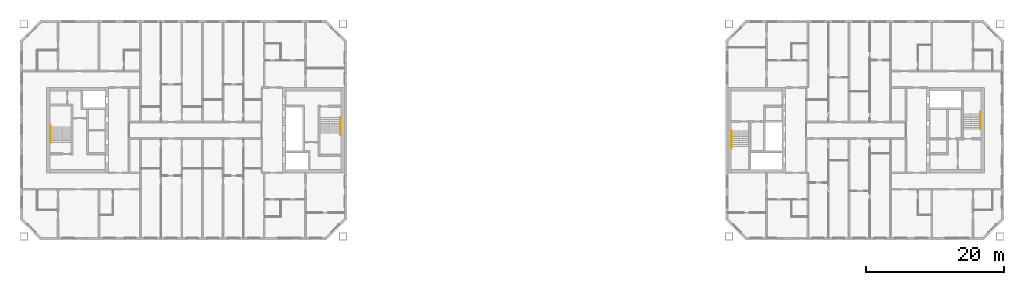
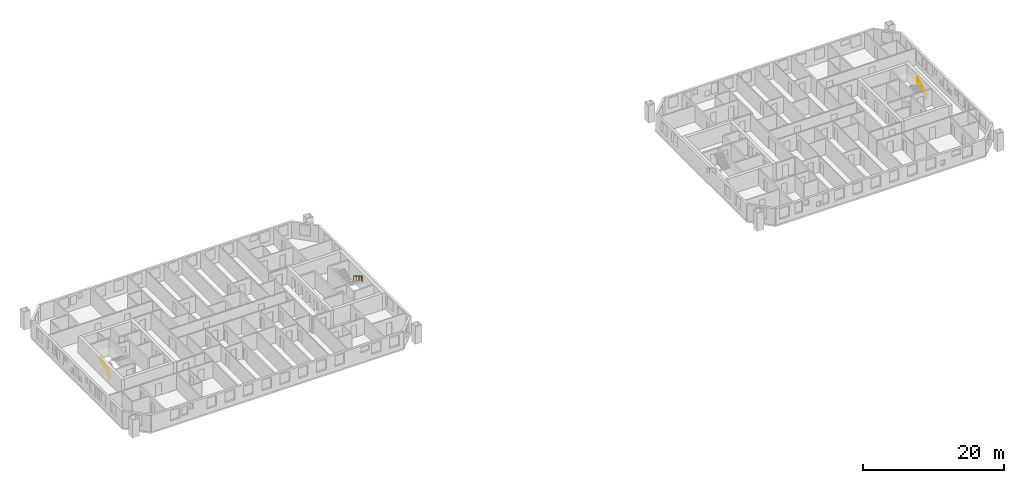
# One storey, part 15 of 15: 4 railings.
"""IFC4 building model written with IfcOpenShell, lengths in metres."""

import ifcopenshell
import ifcopenshell.guid

model = None  # the IFC model being written
_history = None  # IfcOwnerHistory: only IFC2X3 demands one
_inside = {}  # id of a spatial element -> (the spatial element, [elements in it])
_under = {}  # id of a project, library or spatial element -> (it, [spatial elements below it])
_declared = {}  # id of a project -> (the project, [libraries it declares])
_typed = {}  # id of a type object -> (the type object, [elements of that type])
_made_of = {}  # id of a material, layer set ... -> (it, [elements and type objects made of it])


def new_model(schema):
    """Start an empty IFC model of exactly this schema.

    Asked for "IFC4X3", IfcOpenShell would pick the latest addendum, in which some entities
    have other attributes; the version numbers below select the first issue.
    IFC2X3 requires an IfcOwnerHistory on every rooted entity: one is made here for all.
    """
    global model, _history
    if schema == "IFC4X3":
        model = ifcopenshell.file(schema_version=(4, 3, 0, 0))
    else:
        model = ifcopenshell.file(schema=schema)
    _inside.clear()
    _under.clear()
    _declared.clear()
    _typed.clear()
    _made_of.clear()
    _history = None
    if model.schema == "IFC2X3":
        org = make("IfcOrganization", Name="unknown")
        user = make(
            "IfcPersonAndOrganization",
            ThePerson=make("IfcPerson", FamilyName="unknown"),
            TheOrganization=org,
        )
        app = make(
            "IfcApplication",
            ApplicationDeveloper=org,
            Version="unknown",
            ApplicationFullName="unknown",
            ApplicationIdentifier="unknown",
        )
        _history = make(
            "IfcOwnerHistory",
            OwningUser=user,
            OwningApplication=app,
            ChangeAction="ADDED",
            CreationDate=0,
        )
    return model


def make(cls, **values):
    """One entity of the class cls with the attributes given. An attribute that is None is left unset."""
    return model.create_entity(
        cls, **{name: value for name, value in values.items() if value is not None}
    )


def rooted(cls, **values):
    """An entity with a GlobalId (a new one), such as an element, a storey or a relation."""
    return make(cls, GlobalId=ifcopenshell.guid.new(), OwnerHistory=_history, **values)


def si_unit(unit_type, name, prefix=None):
    """IfcSIUnit, for example si_unit("LENGTHUNIT", "METRE", prefix="MILLI")."""
    return make("IfcSIUnit", UnitType=unit_type, Prefix=prefix, Name=name)


def assignment(units):
    """IfcUnitAssignment: the units of a project."""
    return None if units is None else make("IfcUnitAssignment", Units=units)


def point(xyz):
    """IfcCartesianPoint."""
    return None if xyz is None else make("IfcCartesianPoint", Coordinates=xyz)


def direction(xyz):
    """IfcDirection."""
    return None if xyz is None else make("IfcDirection", DirectionRatios=xyz)


def frame(location, z_axis=None, x_axis=None):
    """IfcAxis2Placement3D, a coordinate frame: its origin and axes. An axis left out is left unset."""
    return make(
        "IfcAxis2Placement3D",
        Location=point(location),
        Axis=direction(z_axis),
        RefDirection=direction(x_axis),
    )


def frame_2d(location, x_axis=None):
    """IfcAxis2Placement2D, a coordinate frame in the plane: its origin and x axis."""
    return make(
        "IfcAxis2Placement2D", Location=point(location), RefDirection=direction(x_axis)
    )


def origin():
    """The frame at (0, 0, 0) with its axes left unset."""
    return frame((0.0, 0.0, 0.0))


def origin_2d():
    """The frame at (0, 0) in the plane with its x axis left unset."""
    return frame_2d((0.0, 0.0))


def place(relative_to, where):
    """IfcLocalPlacement: puts the frame where relative to a parent placement (None: the world)."""
    return make(
        "IfcLocalPlacement", PlacementRelTo=relative_to, RelativePlacement=where
    )


def context(
    kind, dimensions, precision=None, world=None, true_north=None, identifier=None
):
    """IfcGeometricRepresentationContext, for example the 3D "Model" context."""
    return make(
        "IfcGeometricRepresentationContext",
        ContextIdentifier=identifier,
        ContextType=kind,
        CoordinateSpaceDimension=dimensions,
        Precision=precision,
        WorldCoordinateSystem=world,
        TrueNorth=true_north,
    )


def subcontext(parent, identifier, kind, view, scale=None):
    """IfcGeometricRepresentationSubContext, for example "Body" below "Model"."""
    return make(
        "IfcGeometricRepresentationSubContext",
        ContextIdentifier=identifier,
        ContextType=kind,
        ParentContext=parent,
        TargetScale=scale,
        TargetView=view,
    )


def project(units=None, contexts=None):
    """IfcProject with its units and contexts."""
    return rooted(
        "IfcProject",
        Name="project",
        RepresentationContexts=contexts,
        UnitsInContext=assignment(units),
    )


def spatial(cls, under=None, at=None, **own):
    """A site, building, storey or space (cls), placed at a placement, below another one or the project."""
    s = rooted(cls, ObjectPlacement=at, **own)
    if under is not None:
        _under.setdefault(under.id(), (under, []))[1].append(s)
    return s


def profile(cls, at=None, kind="AREA", **sizes):
    """A parametric profile (cls). Its sizes go by their IFC names, for example OverallWidth=200.0."""
    return make(cls, ProfileType=kind, Position=at, **sizes)


def circle(**sizes):
    """IfcCircleProfileDef."""
    return profile("IfcCircleProfileDef", **sizes)


def extrude(swept, where, along, depth):
    """IfcExtrudedAreaSolid: the profile swept, set in the frame where, extruded along a direction by depth."""
    return make(
        "IfcExtrudedAreaSolid",
        SweptArea=swept,
        Position=where,
        ExtrudedDirection=direction(along),
        Depth=depth,
    )


def shape(context_of_items, identifier, shape_type, items):
    """IfcShapeRepresentation: the items that make up one representation, for example the "Body"."""
    return make(
        "IfcShapeRepresentation",
        ContextOfItems=context_of_items,
        RepresentationIdentifier=identifier,
        RepresentationType=shape_type,
        Items=items,
    )


def material(Name=None, Category=None):
    """IfcMaterial."""
    return make("IfcMaterial", Name=Name, Category=Category)


def made_of(thing, what):
    """Note that an element or type object is made of a material, layer set ...; save() writes the relation."""
    if what is not None:
        _made_of.setdefault(what.id(), (what, []))[1].append(thing)
    return thing


def type_object(cls, material=None, **own):
    """A type object (cls), such as IfcWallType, which elements share."""
    return made_of(rooted(cls, **own), material)


def element(
    cls,
    number,
    at=None,
    inside=None,
    cuts=None,
    type_object=None,
    material=None,
    context=None,
    identifier="Body",
    shape_type=None,
    held_by="IfcProductDefinitionShape",
    body=None,
    shapes=None,
    **own,
):
    """One element of the class cls, such as IfcWall. Its Tag is "e" and its number.

    at: its placement. inside: the storey or other place that contains it. cuts: it is an
    opening in that element (IfcRelVoidsElement). A single representation is given by context,
    identifier, shape_type and body (its items); several are given by shapes. held_by: the class
    of the entity that holds the representations. save() writes the other relations.
    """
    e = rooted(cls, Tag="e%d" % number, ObjectPlacement=at, **own)
    if body is not None:
        shapes = [shape(context, identifier, shape_type, body)]
    if shapes is not None:
        e.Representation = make(held_by, Representations=shapes)
    if inside is not None:
        _inside.setdefault(inside.id(), (inside, []))[1].append(e)
    if cuts is not None:
        rooted(
            "IfcRelVoidsElement", RelatingBuildingElement=cuts, RelatedOpeningElement=e
        )
    if type_object is not None:
        _typed.setdefault(type_object.id(), (type_object, []))[1].append(e)
    return made_of(e, material)


def aggregate(whole, parts):
    """IfcRelAggregates: a whole, such as a stair, and the parts it consists of."""
    return rooted("IfcRelAggregates", RelatingObject=whole, RelatedObjects=parts)


def save(model, path):
    """Write the relations noted so far, then the file.

    IfcRelAggregates (storeys below a building ...), IfcRelContainedInSpatialStructure (elements
    in a storey), IfcRelDefinesByType, IfcRelAssociatesMaterial and IfcRelDeclares: one each for
    every whole, place, type object, material and project.
    """
    for whole, parts in _under.values():
        aggregate(whole, parts)
    for where, things in _inside.values():
        rooted(
            "IfcRelContainedInSpatialStructure",
            RelatedElements=things,
            RelatingStructure=where,
        )
    for kind, things in _typed.values():
        rooted("IfcRelDefinesByType", RelatedObjects=things, RelatingType=kind)
    for what, things in _made_of.values():
        rooted("IfcRelAssociatesMaterial", RelatedObjects=things, RelatingMaterial=what)
    for by, libraries in _declared.values():
        rooted("IfcRelDeclares", RelatingContext=by, RelatedDefinitions=libraries)
    model.write(path)


model = new_model("IFC4")

# Units and contexts
model_context = context("Model", 3, precision=1e-05, world=origin(), true_north=direction((0.0, 1.0)))
body_context = subcontext(model_context, "Body", "Model", "MODEL_VIEW")
ifc_project = project(units=[si_unit("LENGTHUNIT", "METRE"), si_unit("AREAUNIT", "SQUARE_METRE"), si_unit("VOLUMEUNIT", "CUBIC_METRE"), si_unit("PLANEANGLEUNIT", "RADIAN"), si_unit("MASSUNIT", "GRAM", prefix="KILO")], contexts=[model_context])

# Site, building, storey
site_placement = place(None, origin())
site = spatial("IfcSite", under=ifc_project, at=site_placement, CompositionType="ELEMENT")
building_placement = place(site_placement, origin())
building = spatial("IfcBuilding", under=site, at=building_placement, Name="Tuart Gate Housing", CompositionType="ELEMENT")
storey_placement = place(building_placement, frame((0.0, 0.0, 154.699951171875)))
storey = spatial("IfcBuildingStorey", under=building, at=storey_placement, Name="L43", CompositionType="ELEMENT", Elevation=154.699951171875)

# Railings
ifc_material = material(Name="Stainless steel", Category="steel")
railing_type = type_object("IfcRailingType", Name="Stair handrail 900", PredefinedType="HANDRAIL", material=ifc_material)
railing_1_placement = place(storey_placement, frame((75.080078125, 71.824951171875, 0.17236328125)))
element("IfcRailing", 1, at=railing_1_placement, inside=storey, type_object=railing_type, Name="Stair handrail SA1.1", PredefinedType="HANDRAIL", context=body_context, shape_type="SweptSolid", body=[
    extrude(circle(Radius=0.02392578125, at=origin_2d()), frame((0.0, 0.0, 0.8759765625), z_axis=(0.0, -0.85178898068, 0.523885037382), x_axis=(1.0, 0.0, 0.0)), (0.0, 0.0, 1.0), 2.629638671875),
    extrude(circle(Radius=0.02392578125, at=origin_2d()), frame((0.0, -2.239990234375, 2.25341796875), z_axis=(0.0, -1.0, 0.0), x_axis=(1.0, 0.0, 0.0)), (0.0, 0.0, 1.0), 0.300048828125),
    extrude(circle(Radius=0.02099609375, at=origin_2d()), origin(), (0.0, 0.0, 1.0), 0.851806640625),
    extrude(circle(Radius=0.02099609375, at=origin_2d()), frame((0.0, -0.74658203125, 0.459228515625)), (0.0, 0.0, 1.0), 0.851806640625),
    extrude(circle(Radius=0.02099609375, at=origin_2d()), frame((0.0, -1.493408203125, 0.91845703125)), (0.0, 0.0, 1.0), 0.851806640625),
    extrude(circle(Radius=0.02099609375, at=origin_2d()), frame((0.0, -2.239990234375, 1.377685546875)), (0.0, 0.0, 1.0), 0.851806640625),
    extrude(circle(Radius=0.02099609375, at=origin_2d()), frame((0.0, -2.5400390625, 1.377685546875)), (0.0, 0.0, 1.0), 0.851806640625),
])
railing_2_placement = place(storey_placement, frame((32.919921875, 68.175048828125, 0.17236328125)))
element("IfcRailing", 2, at=railing_2_placement, inside=storey, type_object=railing_type, Name="Stair handrail SA2.1", PredefinedType="HANDRAIL", context=body_context, shape_type="SweptSolid", body=[
    extrude(circle(Radius=0.02392578125, at=origin_2d()), frame((0.0, 0.0, 0.8759765625), z_axis=(0.0, 0.85178898068, 0.523885037382), x_axis=(-1.0, 0.0, 0.0)), (0.0, 0.0, 1.0), 2.629638671875),
    extrude(circle(Radius=0.02392578125, at=origin_2d()), frame((0.0, 2.239990234375, 2.25341796875), z_axis=(0.0, 1.0, 0.0), x_axis=(-1.0, 0.0, 0.0)), (0.0, 0.0, 1.0), 0.300048828125),
    extrude(circle(Radius=0.02099609375, at=origin_2d()), origin(), (0.0, 0.0, 1.0), 0.851806640625),
    extrude(circle(Radius=0.02099609375, at=origin_2d()), frame((0.0, 0.74658203125, 0.459228515625)), (0.0, 0.0, 1.0), 0.851806640625),
    extrude(circle(Radius=0.02099609375, at=origin_2d()), frame((0.0, 1.493408203125, 0.91845703125)), (0.0, 0.0, 1.0), 0.851806640625),
    extrude(circle(Radius=0.02099609375, at=origin_2d()), frame((0.0, 2.239990234375, 1.377685546875)), (0.0, 0.0, 1.0), 0.851806640625),
    extrude(circle(Radius=0.02099609375, at=origin_2d()), frame((0.0, 2.5400390625, 1.377685546875)), (0.0, 0.0, 1.0), 0.851806640625),
])
railing_3_placement = place(storey_placement, frame((131.919921875, 69.875, 0.17236328125)))
element("IfcRailing", 3, at=railing_3_placement, inside=storey, type_object=railing_type, Name="Stair handrail SB1.1", PredefinedType="HANDRAIL", context=body_context, shape_type="SweptSolid", body=[
    extrude(circle(Radius=0.02392578125, at=origin_2d()), frame((0.0, 0.0, 0.8759765625), z_axis=(0.0, -0.85178898068, 0.523885037382), x_axis=(1.0, 0.0, 0.0)), (0.0, 0.0, 1.0), 2.629638671875),
    extrude(circle(Radius=0.02392578125, at=origin_2d()), frame((0.0, -2.239990234375, 2.25341796875), z_axis=(0.0, -1.0, 0.0), x_axis=(1.0, 0.0, 0.0)), (0.0, 0.0, 1.0), 0.300048828125),
    extrude(circle(Radius=0.02099609375, at=origin_2d()), origin(), (0.0, 0.0, 1.0), 0.851806640625),
    extrude(circle(Radius=0.02099609375, at=origin_2d()), frame((0.0, -0.74658203125, 0.459228515625)), (0.0, 0.0, 1.0), 0.851806640625),
    extrude(circle(Radius=0.02099609375, at=origin_2d()), frame((0.0, -1.493408203125, 0.91845703125)), (0.0, 0.0, 1.0), 0.851806640625),
    extrude(circle(Radius=0.02099609375, at=origin_2d()), frame((0.0, -2.239990234375, 1.377685546875)), (0.0, 0.0, 1.0), 0.851806640625),
    extrude(circle(Radius=0.02099609375, at=origin_2d()), frame((0.0, -2.5400390625, 1.377685546875)), (0.0, 0.0, 1.0), 0.851806640625),
])
railing_4_placement = place(storey_placement, frame((168.080078125, 70.125, 0.17236328125)))
element("IfcRailing", 4, at=railing_4_placement, inside=storey, type_object=railing_type, Name="Stair handrail SB2.1", PredefinedType="HANDRAIL", context=body_context, shape_type="SweptSolid", body=[
    extrude(circle(Radius=0.02392578125, at=origin_2d()), frame((0.0, 0.0, 0.8759765625), z_axis=(0.0, 0.85178898068, 0.523885037382), x_axis=(-1.0, 0.0, 0.0)), (0.0, 0.0, 1.0), 2.629638671875),
    extrude(circle(Radius=0.02392578125, at=origin_2d()), frame((0.0, 2.239990234375, 2.25341796875), z_axis=(0.0, 1.0, 0.0), x_axis=(-1.0, 0.0, 0.0)), (0.0, 0.0, 1.0), 0.300048828125),
    extrude(circle(Radius=0.02099609375, at=origin_2d()), origin(), (0.0, 0.0, 1.0), 0.851806640625),
    extrude(circle(Radius=0.02099609375, at=origin_2d()), frame((0.0, 0.74658203125, 0.459228515625)), (0.0, 0.0, 1.0), 0.851806640625),
    extrude(circle(Radius=0.02099609375, at=origin_2d()), frame((0.0, 1.493408203125, 0.91845703125)), (0.0, 0.0, 1.0), 0.851806640625),
    extrude(circle(Radius=0.02099609375, at=origin_2d()), frame((0.0, 2.239990234375, 1.377685546875)), (0.0, 0.0, 1.0), 0.851806640625),
    extrude(circle(Radius=0.02099609375, at=origin_2d()), frame((0.0, 2.5400390625, 1.377685546875)), (0.0, 0.0, 1.0), 0.851806640625),
])

save(model, "model.ifc")
